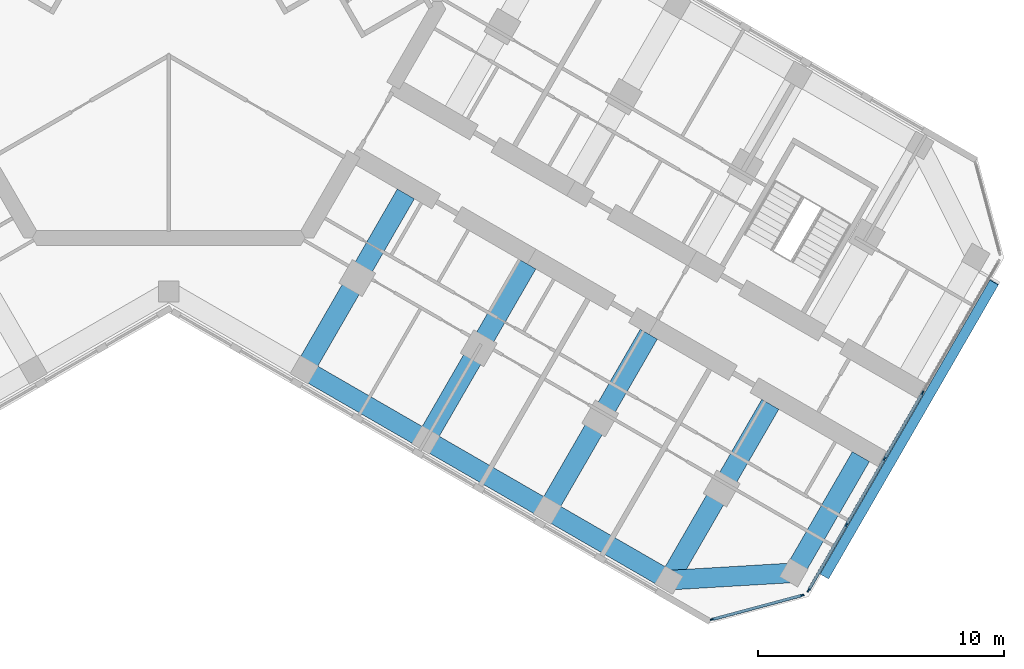
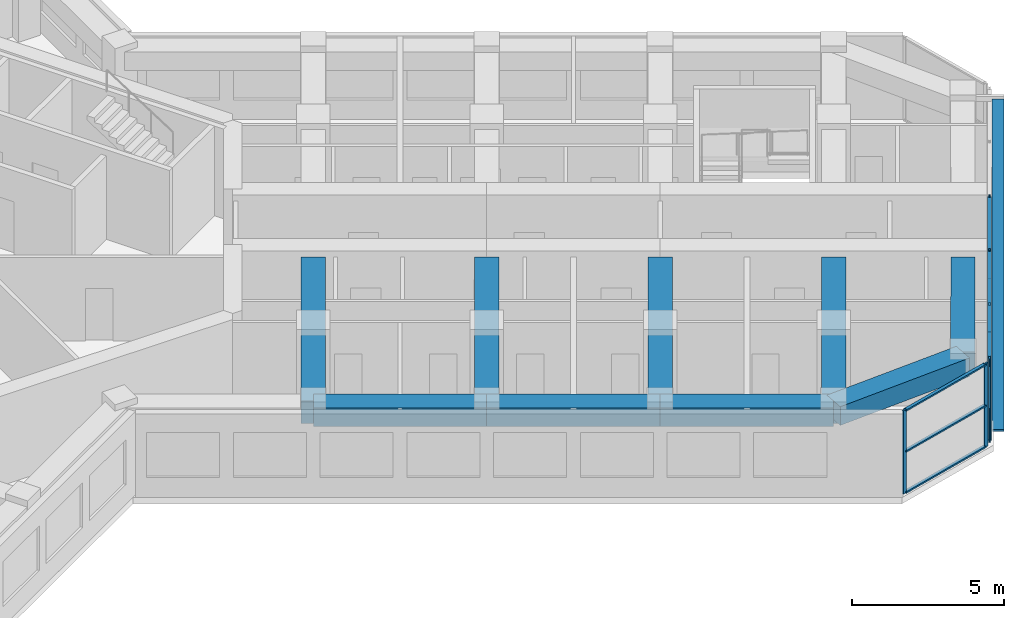
# One storey, part 4 of 16: 16 members, 9 beams, 2 elements without a shape of their own.
"""IFC4 building model written with IfcOpenShell, lengths in metres."""

from ifc_helpers import new_model, si_unit, direction, frame, origin, origin_2d, place, context, subcontext, project, spatial, rectangle, extrude, material, material_profile, profile_set, type_object, element, aggregate, save


model = new_model("IFC4")

# Units and contexts
model_context = context("Model", 3, precision=1e-05, world=origin(), true_north=direction((0.0, 1.0)))
body_context = subcontext(model_context, "Body", "Model", "MODEL_VIEW")
ifc_project = project(units=[si_unit("LENGTHUNIT", "METRE"), si_unit("AREAUNIT", "SQUARE_METRE"), si_unit("VOLUMEUNIT", "CUBIC_METRE"), si_unit("PLANEANGLEUNIT", "RADIAN"), si_unit("MASSUNIT", "GRAM", prefix="KILO")], contexts=[model_context])

# Site, building, storey
site_placement = place(None, origin())
site = spatial("IfcSite", under=ifc_project, at=site_placement, CompositionType="ELEMENT")
building_placement = place(site_placement, origin())
building = spatial("IfcBuilding", under=site, at=building_placement, Name="Kosmar Iwan School Tower", CompositionType="ELEMENT")
storey_placement = place(building_placement, frame((0.0, 0.0, 231.60009765625)))
storey = spatial("IfcBuildingStorey", under=building, at=storey_placement, Name="L58", CompositionType="ELEMENT", Elevation=231.60009765625)

# Member
ifc_material_1 = material(Name="Black anodised aluminium", Category="aluminium")
ifc_material_profile_1 = material_profile(ifc_material_1, rectangle(XDim=0.10009765625, YDim=0.39990234375, at=origin_2d()), Name="FIN 100x400")
ifc_profile_set_1 = profile_set([ifc_material_profile_1], Name="Black anodised aluminium")
member_type_1 = type_object("IfcMemberType", Name="Diagonal fin 100x400", PredefinedType="USERDEFINED", material=ifc_profile_set_1)
member_1_placement = place(storey_placement, frame((26.645263671875, -23.34912109375, -0.150146484375), z_axis=(0.483793446988, 0.837970316603, 0.25248692866), x_axis=(-0.126241714543, -0.218661104574, 0.96760030532)))
element("IfcMember", 1, at=member_1_placement, inside=storey, type_object=member_type_1, Name="Diagonal fin L58-F01", ObjectType="FIN", PredefinedType="USERDEFINED", context=body_context, shape_type="SweptSolid", body=[
    extrude(rectangle(XDim=0.10009765625, YDim=0.39990234375, at=origin_2d()), origin(), (0.0, 0.0, 1.0), 14.258544921875),
])

# Curtain wall, members
ifc_material_2 = material(Name="Dark glass in black aluminium frame", Category="aluminium")
curtain_wall_type_1 = type_object("IfcCurtainWallType", Name="Chamfer curtain wall dark glass", PredefinedType="USERDEFINED", material=ifc_material_2)
curtain_wall_1_placement = place(storey_placement, origin())
curtain_wall_1 = element("IfcCurtainWall", 2, at=curtain_wall_1_placement, inside=storey, type_object=curtain_wall_type_1, Name="Curtain wall L58-F00", ObjectType="FACETED CURTAIN WALL", PredefinedType="USERDEFINED")
ifc_material_3 = material(Name="Black anodised aluminium", Category="aluminium")
ifc_material_profile_2 = material_profile(ifc_material_3, rectangle(XDim=0.06005859375, YDim=0.159912109375, at=origin_2d()), Name="MULLION 60x160")
ifc_profile_set_2 = profile_set([ifc_material_profile_2], Name="Black anodised aluminium")
member_type_2 = type_object("IfcMemberType", Name="Mullion 60x160", PredefinedType="MULLION", material=ifc_profile_set_2)
member_2_placement = place(storey_placement, frame((22.0830078125, -25.102294921875, 0.0), z_axis=(0.0, 0.0, 1.0), x_axis=(-0.258818861462, 0.965925875495, 0.0)))
member_2 = element("IfcMember", 3, at=member_2_placement, type_object=member_type_2, Name="CW2 mullion 1", PredefinedType="MULLION", context=body_context, shape_type="SweptSolid", body=[
    extrude(rectangle(XDim=0.06005859375, YDim=0.159912109375, at=origin_2d()), origin(), (0.0, 0.0, 1.0), 3.349853515625),
])
member_3_placement = place(storey_placement, frame((25.733154296875, -24.124267578125, 0.0), z_axis=(0.0, 0.0, 1.0), x_axis=(-0.258818861462, 0.965925875495, 0.0)))
member_3 = element("IfcMember", 4, at=member_3_placement, type_object=member_type_2, Name="CW2 mullion 2", PredefinedType="MULLION", context=body_context, shape_type="SweptSolid", body=[
    extrude(rectangle(XDim=0.06005859375, YDim=0.159912109375, at=origin_2d()), origin(), (0.0, 0.0, 1.0), 3.349853515625),
])

ifc_material_4 = material(Name="Dark glass in black aluminium frame", Category="aluminium")
curtain_wall_type_2 = type_object("IfcCurtainWallType", Name="Tower curtain wall dark glass", PredefinedType="USERDEFINED", material=ifc_material_4)
curtain_wall_2_placement = place(storey_placement, origin())
curtain_wall_2 = element("IfcCurtainWall", 5, at=curtain_wall_2_placement, inside=storey, type_object=curtain_wall_type_2, Name="Curtain wall L58-F01", ObjectType="UNITISED CURTAIN WALL", PredefinedType="USERDEFINED")
member_4_placement = place(storey_placement, frame((25.9970703125, -23.921630859375, 0.0), z_axis=(0.0, 0.0, 1.0), x_axis=(-0.866025405329, 0.499999997325, 0.0)))
member_4 = element("IfcMember", 6, at=member_4_placement, type_object=member_type_2, Name="CW1 mullion 1", PredefinedType="MULLION", context=body_context, shape_type="SweptSolid", body=[
    extrude(rectangle(XDim=0.06005859375, YDim=0.159912109375, at=origin_2d()), origin(), (0.0, 0.0, 1.0), 3.349853515625),
])
member_5_placement = place(storey_placement, frame((27.53173828125, -21.263671875, 0.0), z_axis=(0.0, 0.0, 1.0), x_axis=(-0.866025405329, 0.499999997325, 0.0)))
member_5 = element("IfcMember", 7, at=member_5_placement, type_object=member_type_2, Name="CW1 mullion 2", PredefinedType="MULLION", context=body_context, shape_type="SweptSolid", body=[
    extrude(rectangle(XDim=0.06005859375, YDim=0.159912109375, at=origin_2d()), origin(), (0.0, 0.0, 1.0), 3.349853515625),
])
member_6_placement = place(storey_placement, frame((29.081298828125, -18.57958984375, 0.0), z_axis=(0.0, 0.0, 1.0), x_axis=(-0.866025405329, 0.499999997325, 0.0)))
member_6 = element("IfcMember", 8, at=member_6_placement, type_object=member_type_2, Name="CW1 mullion 3", PredefinedType="MULLION", context=body_context, shape_type="SweptSolid", body=[
    extrude(rectangle(XDim=0.06005859375, YDim=0.159912109375, at=origin_2d()), origin(), (0.0, 0.0, 1.0), 3.349853515625),
])
member_7_placement = place(storey_placement, frame((30.631103515625, -15.8955078125, 0.0), z_axis=(0.0, 0.0, 1.0), x_axis=(-0.866025405329, 0.499999997325, 0.0)))
member_7 = element("IfcMember", 9, at=member_7_placement, type_object=member_type_2, Name="CW1 mullion 4", PredefinedType="MULLION", context=body_context, shape_type="SweptSolid", body=[
    extrude(rectangle(XDim=0.06005859375, YDim=0.159912109375, at=origin_2d()), origin(), (0.0, 0.0, 1.0), 3.349853515625),
])

# Beams
ifc_material_5 = material(Name="Concrete C50/60", Category="concrete")
ifc_material_profile_3 = material_profile(ifc_material_5, rectangle(XDim=0.800048828125, YDim=0.75, at=origin_2d()), Name="RC 800x750")
ifc_profile_set_3 = profile_set([ifc_material_profile_3], Name="Concrete C50/60")
beam_type_1 = type_object("IfcBeamType", Name="RC edge beam 800x750", PredefinedType="BEAM", material=ifc_profile_set_3)
beam_1_placement = place(storey_placement, frame((5.5087890625, -14.95849609375, 2.974853515625), z_axis=(0.866033658841, -0.49998570155, 0.0), x_axis=(0.49998570155, 0.866033658841, 0.0)))
element("IfcBeam", 10, at=beam_1_placement, inside=storey, type_object=beam_type_1, Name="Edge beam CR2", PredefinedType="BEAM", context=body_context, shape_type="SweptSolid", body=[
    extrude(rectangle(XDim=0.800048828125, YDim=0.75, at=origin_2d()), origin(), (0.0, 0.0, 1.0), 5.699951171875),
])
beam_2_placement = place(storey_placement, frame((10.445068359375, -17.808349609375, 2.974853515625), z_axis=(0.866025820012, -0.499999279071, 0.0), x_axis=(0.499999279071, 0.866025820012, 0.0)))
element("IfcBeam", 11, at=beam_2_placement, inside=storey, type_object=beam_type_1, Name="Edge beam CR3", PredefinedType="BEAM", context=body_context, shape_type="SweptSolid", body=[
    extrude(rectangle(XDim=0.800048828125, YDim=0.75, at=origin_2d()), origin(), (0.0, 0.0, 1.0), 5.7001953125),
])
beam_3_placement = place(storey_placement, frame((15.381591796875, -20.658447265625, 2.974853515625), z_axis=(0.866015111908, -0.50001782563, 0.0), x_axis=(0.50001782563, 0.866015111908, 0.0)))
element("IfcBeam", 12, at=beam_3_placement, inside=storey, type_object=beam_type_1, Name="Edge beam CR4", PredefinedType="BEAM", context=body_context, shape_type="SweptSolid", body=[
    extrude(rectangle(XDim=0.800048828125, YDim=0.75, at=origin_2d()), origin(), (0.0, 0.0, 1.0), 5.699951171875),
])
ifc_material_6 = material(Name="Concrete C50/60", Category="concrete")
ifc_material_profile_4 = material_profile(ifc_material_6, rectangle(XDim=0.800048828125, YDim=0.75, at=origin_2d()), Name="RC 800x750")
ifc_profile_set_4 = profile_set([ifc_material_profile_4], Name="Concrete C50/60")
beam_type_2 = type_object("IfcBeamType", Name="RC tip beam 800x750", PredefinedType="BEAM", material=ifc_profile_set_4)
beam_4_placement = place(storey_placement, frame((20.31787109375, -23.508544921875, 2.974853515625), z_axis=(0.998260616478, 0.058955420358, 0.0), x_axis=(-0.058955420358, 0.998260616478, 0.0)))
element("IfcBeam", 13, at=beam_4_placement, inside=storey, type_object=beam_type_2, Name="Tip beam CR", PredefinedType="BEAM", context=body_context, shape_type="SweptSolid", body=[
    extrude(rectangle(XDim=0.800048828125, YDim=0.75, at=origin_2d()), origin(), (0.0, 0.0, 1.0), 5.08935546875),
])
beam_5_placement = place(storey_placement, frame((25.3984375, -23.20849609375, 2.974853515625), z_axis=(0.500022328685, 0.866012511928, 0.0), x_axis=(-0.866012511928, 0.500022328685, 0.0)))
element("IfcBeam", 14, at=beam_5_placement, inside=storey, type_object=beam_type_2, Name="Tip beam CR to corridor wall", PredefinedType="BEAM", context=body_context, shape_type="SweptSolid", body=[
    extrude(rectangle(XDim=0.800048828125, YDim=0.75, at=origin_2d()), origin(), (0.0, 0.0, 1.0), 5.449951171875),
])
ifc_material_7 = material(Name="Concrete C50/60", Category="concrete")
ifc_material_profile_5 = material_profile(ifc_material_7, rectangle(XDim=0.800048828125, YDim=0.89990234375, at=origin_2d()), Name="RC 800x900")
ifc_profile_set_5 = profile_set([ifc_material_profile_5], Name="Concrete C50/60")
beam_type_3 = type_object("IfcBeamType", Name="RC transverse beam 800x900", PredefinedType="BEAM", material=ifc_profile_set_5)
beam_6_placement = place(storey_placement, frame((5.5087890625, -14.95849609375, 2.89990234375), z_axis=(0.499996545922, 0.866027397988, 0.0), x_axis=(-0.866027397988, 0.499996545922, 0.0)))
element("IfcBeam", 15, at=beam_6_placement, inside=storey, type_object=beam_type_3, Name="Transverse beam CR1", PredefinedType="BEAM", context=body_context, shape_type="SweptSolid", body=[
    extrude(rectangle(XDim=0.800048828125, YDim=0.89990234375, at=origin_2d()), origin(), (0.0, 0.0, 1.0), 8.25),
])
beam_7_placement = place(storey_placement, frame((10.445068359375, -17.808349609375, 2.89990234375), z_axis=(0.500009360108, 0.866019999656, 0.0), x_axis=(-0.866019999656, 0.500009360108, 0.0)))
element("IfcBeam", 16, at=beam_7_placement, inside=storey, type_object=beam_type_3, Name="Transverse beam CR2", PredefinedType="BEAM", context=body_context, shape_type="SweptSolid", body=[
    extrude(rectangle(XDim=0.800048828125, YDim=0.89990234375, at=origin_2d()), origin(), (0.0, 0.0, 1.0), 8.249755859375),
])
for number, where, z_axis, x_axis, name in (
    (17, (15.381591796875, -20.658447265625, 2.89990234375), (0.499996545922, 0.866027397988, 0.0), (-0.866027397988, 0.499996545922, 0.0), "Transverse beam CR3"),
    (18, (20.31787109375, -23.508544921875, 2.89990234375), (0.499996545922, 0.866027397988, 0.0), (-0.866027397988, 0.499996545922, 0.0), "Transverse beam CR4"),
):
    element("IfcBeam", number, at=place(storey_placement, frame(where, z_axis=z_axis, x_axis=x_axis)), inside=storey, type_object=beam_type_3, Name=name, PredefinedType="BEAM", context=body_context, shape_type="SweptSolid", body=[
        extrude(rectangle(XDim=0.800048828125, YDim=0.89990234375, at=origin_2d()), origin(), (0.0, 0.0, 1.0), 8.25),
    ])

# Member
ifc_material_8 = material(Name="Black anodised aluminium", Category="aluminium")
ifc_material_profile_6 = material_profile(ifc_material_8, rectangle(XDim=0.1201171875, YDim=0.06005859375, at=origin_2d()), Name="TRANSOM 60x120")
ifc_profile_set_6 = profile_set([ifc_material_profile_6], Name="Black anodised aluminium")
member_type_3 = type_object("IfcMemberType", Name="Transom 60x120", PredefinedType="USERDEFINED", material=ifc_profile_set_6)
member_8_placement = place(storey_placement, frame((22.11181640625, -25.094482421875, 0.02978515625), z_axis=(0.965923731726, 0.258826861991, 0.0), x_axis=(-0.258826861991, 0.965923731726, 0.0)))
member_8 = element("IfcMember", 19, at=member_8_placement, type_object=member_type_3, Name="CW2 transom 1.1", ObjectType="TRANSOM", PredefinedType="USERDEFINED", context=body_context, shape_type="SweptSolid", body=[
    extrude(rectangle(XDim=0.1201171875, YDim=0.06005859375, at=origin_2d()), origin(), (0.0, 0.0, 1.0), 3.71923828125),
])

member_9_placement = place(storey_placement, frame((22.11181640625, -25.094482421875, 1.6748046875), z_axis=(0.965923731726, 0.258826861991, 0.0), x_axis=(-0.258826861991, 0.965923731726, 0.0)))
member_9 = element("IfcMember", 20, at=member_9_placement, type_object=member_type_3, Name="CW2 transom 1.2", ObjectType="TRANSOM", PredefinedType="USERDEFINED", context=body_context, shape_type="SweptSolid", body=[
    extrude(rectangle(XDim=0.1201171875, YDim=0.06005859375, at=origin_2d()), origin(), (0.0, 0.0, 1.0), 3.71923828125),
])

member_10_placement = place(storey_placement, frame((22.11181640625, -25.094482421875, 3.31982421875), z_axis=(0.965923731726, 0.258826861991, 0.0), x_axis=(-0.258826861991, 0.965923731726, 0.0)))
member_10 = element("IfcMember", 21, at=member_10_placement, type_object=member_type_3, Name="CW2 transom 1.3", ObjectType="TRANSOM", PredefinedType="USERDEFINED", context=body_context, shape_type="SweptSolid", body=[
    extrude(rectangle(XDim=0.1201171875, YDim=0.06005859375, at=origin_2d()), origin(), (0.0, 0.0, 1.0), 3.71923828125),
])

aggregate(curtain_wall_1, [member_2, member_3, member_8, member_9, member_10])

member_11_placement = place(storey_placement, frame((26.01220703125, -23.895751953125, 0.02978515625), z_axis=(0.499986971506, 0.866032925658, 0.0), x_axis=(-0.866032925658, 0.499986971506, 0.0)))
member_11 = element("IfcMember", 22, at=member_11_placement, type_object=member_type_3, Name="CW1 transom 1.1", ObjectType="TRANSOM", PredefinedType="USERDEFINED", context=body_context, shape_type="SweptSolid", body=[
    extrude(rectangle(XDim=0.1201171875, YDim=0.06005859375, at=origin_2d()), origin(), (0.0, 0.0, 1.0), 3.00927734375),
])

member_12_placement = place(storey_placement, frame((26.01220703125, -23.895751953125, 3.31982421875), z_axis=(0.499986971506, 0.866032925658, 0.0), x_axis=(-0.866032925658, 0.499986971506, 0.0)))
member_12 = element("IfcMember", 23, at=member_12_placement, type_object=member_type_3, Name="CW1 transom 1.2", ObjectType="TRANSOM", PredefinedType="USERDEFINED", context=body_context, shape_type="SweptSolid", body=[
    extrude(rectangle(XDim=0.1201171875, YDim=0.06005859375, at=origin_2d()), origin(), (0.0, 0.0, 1.0), 3.00927734375),
])

member_13_placement = place(storey_placement, frame((27.546875, -21.237548828125, 0.02978515625), z_axis=(0.499975102327, 0.866039777986, 0.0), x_axis=(-0.866039777986, 0.499975102327, 0.0)))
member_13 = element("IfcMember", 24, at=member_13_placement, type_object=member_type_3, Name="CW1 transom 2.1", ObjectType="TRANSOM", PredefinedType="USERDEFINED", context=body_context, shape_type="SweptSolid", body=[
    extrude(rectangle(XDim=0.1201171875, YDim=0.06005859375, at=origin_2d()), origin(), (0.0, 0.0, 1.0), 3.039306640625),
])

member_14_placement = place(storey_placement, frame((27.546875, -21.237548828125, 3.31982421875), z_axis=(0.499975102327, 0.866039777986, 0.0), x_axis=(-0.866039777986, 0.499975102327, 0.0)))
member_14 = element("IfcMember", 25, at=member_14_placement, type_object=member_type_3, Name="CW1 transom 2.2", ObjectType="TRANSOM", PredefinedType="USERDEFINED", context=body_context, shape_type="SweptSolid", body=[
    extrude(rectangle(XDim=0.1201171875, YDim=0.06005859375, at=origin_2d()), origin(), (0.0, 0.0, 1.0), 3.039306640625),
])

member_15_placement = place(storey_placement, frame((29.096435546875, -18.553466796875, 0.02978515625), z_axis=(0.499975102327, 0.866039777986, 0.0), x_axis=(-0.866039777986, 0.499975102327, 0.0)))
member_15 = element("IfcMember", 26, at=member_15_placement, type_object=member_type_3, Name="CW1 transom 3.1", ObjectType="TRANSOM", PredefinedType="USERDEFINED", context=body_context, shape_type="SweptSolid", body=[
    extrude(rectangle(XDim=0.1201171875, YDim=0.06005859375, at=origin_2d()), origin(), (0.0, 0.0, 1.0), 3.039306640625),
])

member_16_placement = place(storey_placement, frame((29.096435546875, -18.553466796875, 3.31982421875), z_axis=(0.499975102327, 0.866039777986, 0.0), x_axis=(-0.866039777986, 0.499975102327, 0.0)))
member_16 = element("IfcMember", 27, at=member_16_placement, type_object=member_type_3, Name="CW1 transom 3.2", ObjectType="TRANSOM", PredefinedType="USERDEFINED", context=body_context, shape_type="SweptSolid", body=[
    extrude(rectangle(XDim=0.1201171875, YDim=0.06005859375, at=origin_2d()), origin(), (0.0, 0.0, 1.0), 3.039306640625),
])

aggregate(curtain_wall_2, [member_4, member_5, member_6, member_7, member_11, member_12, member_13, member_14, member_15, member_16])

save(model, "model.ifc")
